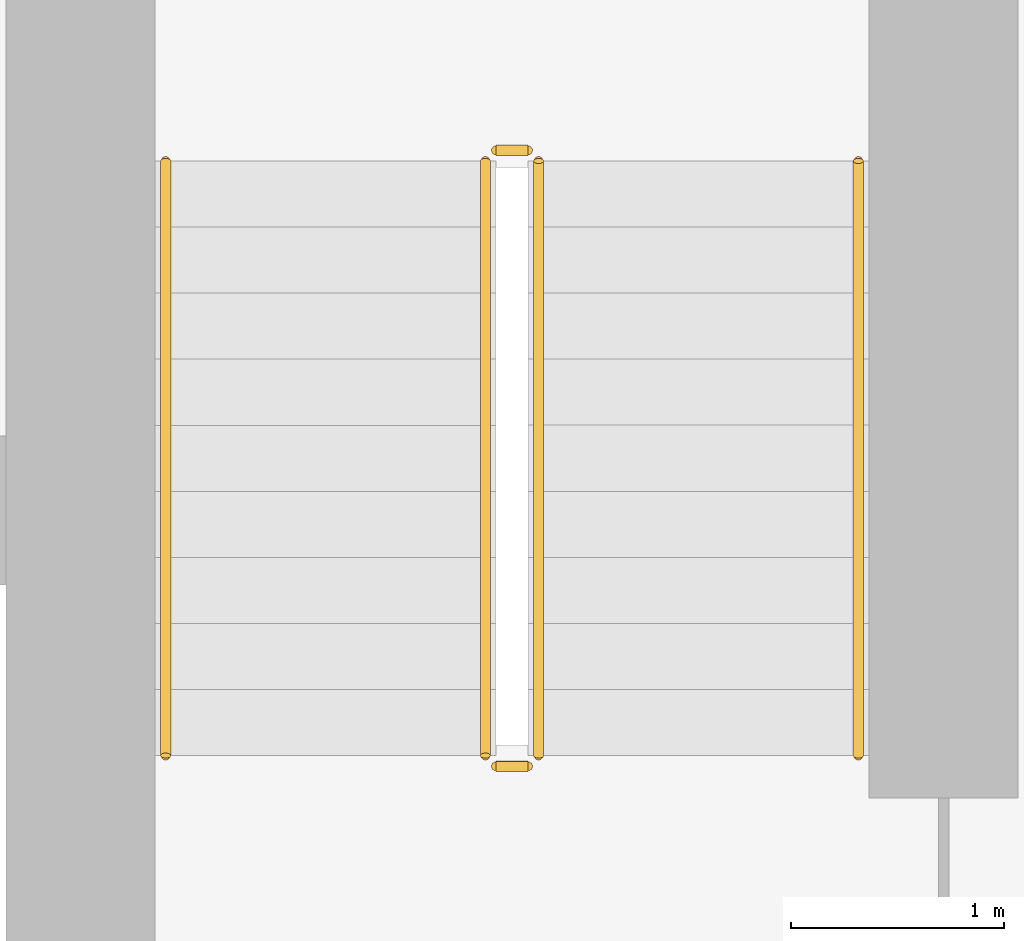
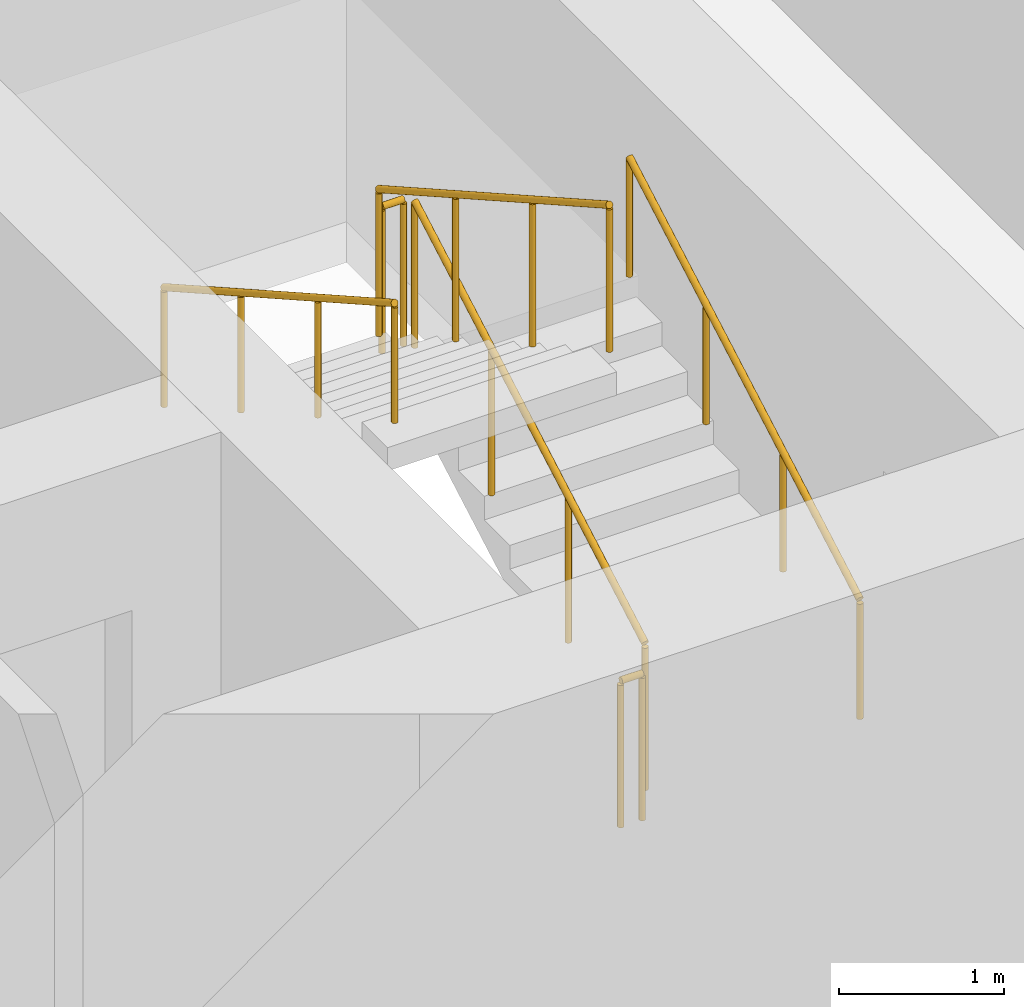
# One storey, part 19 of 21: 6 railings.
"""IFC4 building model written with IfcOpenShell, lengths in metres."""

from ifc_helpers import new_model, si_unit, direction, frame, origin, origin_2d, place, context, subcontext, project, spatial, circle, extrude, material, type_object, element, save


model = new_model("IFC4")

# Units and contexts
model_context = context("Model", 3, precision=1e-05, world=origin(), true_north=direction((0.0, 1.0)))
body_context = subcontext(model_context, "Body", "Model", "MODEL_VIEW")
ifc_project = project(units=[si_unit("LENGTHUNIT", "METRE"), si_unit("AREAUNIT", "SQUARE_METRE"), si_unit("VOLUMEUNIT", "CUBIC_METRE"), si_unit("PLANEANGLEUNIT", "RADIAN"), si_unit("MASSUNIT", "GRAM", prefix="KILO")], contexts=[model_context])

# Site, building, storey
site_placement = place(None, origin())
site = spatial("IfcSite", under=ifc_project, at=site_placement, CompositionType="ELEMENT")
building_placement = place(site_placement, origin())
building = spatial("IfcBuilding", under=site, at=building_placement, Name="Madar Terraces", CompositionType="ELEMENT")
storey_placement = place(building_placement, frame((0.0, 0.0, 39.89990234375)))
storey = spatial("IfcBuildingStorey", under=building, at=storey_placement, Name="L09", CompositionType="ELEMENT", Elevation=39.89990234375)

# Railings
ifc_material_1 = material(Name="Stainless steel railing", Category="steel")
railing_type_1 = type_object("IfcRailingType", Name="Stair guard 1100", PredefinedType="GUARDRAIL", material=ifc_material_1)
railing_1_placement = place(storey_placement, frame((41.449951171875, 17.60009765625, 0.175048828125)))
element("IfcRailing", 1, at=railing_1_placement, inside=storey, type_object=railing_type_1, Name="L09 ST3 stair guard 1", PredefinedType="GUARDRAIL", context=body_context, shape_type="SweptSolid", body=[
    extrude(circle(Radius=0.02392578125, at=origin_2d()), frame((0.0, 0.0, 1.076171875), z_axis=(0.0, 0.870815363784, 0.491610213684), x_axis=(-1.0, 0.0, 0.0)), (0.0, 0.0, 1.0), 3.20361328125),
    extrude(circle(Radius=0.02099609375, at=origin_2d()), origin(), (0.0, 0.0, 1.0), 1.052001953125),
    extrude(circle(Radius=0.02099609375, at=origin_2d()), frame((0.0, 0.929931640625, 0.52490234375)), (0.0, 0.0, 1.0), 1.052001953125),
    extrude(circle(Radius=0.02099609375, at=origin_2d()), frame((0.0, 1.85986328125, 1.050048828125)), (0.0, 0.0, 1.0), 1.052001953125),
    extrude(circle(Radius=0.02099609375, at=origin_2d()), frame((0.0, 2.789794921875, 1.574951171875)), (0.0, 0.0, 1.0), 1.052001953125),
])
railing_2_placement = place(storey_placement, frame((41.39990234375, 20.43994140625, 1.75)))
element("IfcRailing", 2, at=railing_2_placement, inside=storey, type_object=railing_type_1, Name="L09 ST3 stair guard 2", PredefinedType="GUARDRAIL", context=body_context, shape_type="SweptSolid", body=[
    extrude(circle(Radius=0.02392578125, at=origin_2d()), frame((0.0, 0.0, 1.076171875), z_axis=(-1.0, 0.0, 0.0), x_axis=(0.0, -1.0, 0.0)), (0.0, 0.0, 1.0), 0.14990234375),
    extrude(circle(Radius=0.02099609375, at=origin_2d()), origin(), (0.0, 0.0, 1.0), 1.052001953125),
    extrude(circle(Radius=0.02099609375, at=origin_2d()), frame((-0.14990234375, 0.0, 0.0)), (0.0, 0.0, 1.0), 1.052001953125),
])
railing_3_placement = place(storey_placement, frame((41.199951171875, 20.389892578125, 1.925048828125)))
element("IfcRailing", 3, at=railing_3_placement, inside=storey, type_object=railing_type_1, Name="L09 ST3 stair guard 3", PredefinedType="GUARDRAIL", context=body_context, shape_type="SweptSolid", body=[
    extrude(circle(Radius=0.02392578125, at=origin_2d()), frame((0.0, 0.0, 1.076171875), z_axis=(0.0, -0.870815363784, 0.491610213684), x_axis=(1.0, 0.0, 0.0)), (0.0, 0.0, 1.0), 3.20361328125),
    extrude(circle(Radius=0.02099609375, at=origin_2d()), origin(), (0.0, 0.0, 1.0), 1.052001953125),
    extrude(circle(Radius=0.02099609375, at=origin_2d()), frame((0.0, -0.929931640625, 0.52490234375)), (0.0, 0.0, 1.0), 1.052001953125),
    extrude(circle(Radius=0.02099609375, at=origin_2d()), frame((0.0, -1.85986328125, 1.050048828125)), (0.0, 0.0, 1.0), 1.052001953125),
    extrude(circle(Radius=0.02099609375, at=origin_2d()), frame((0.0, -2.789794921875, 1.574951171875)), (0.0, 0.0, 1.0), 1.052001953125),
])
railing_4_placement = place(storey_placement, frame((41.39990234375, 17.550048828125, 0.0)))
element("IfcRailing", 4, at=railing_4_placement, inside=storey, type_object=railing_type_1, Name="L09 ST3 stair guard 4", PredefinedType="GUARDRAIL", context=body_context, shape_type="SweptSolid", body=[
    extrude(circle(Radius=0.02392578125, at=origin_2d()), frame((0.0, 0.0, 1.076171875), z_axis=(-1.0, 0.0, 0.0), x_axis=(0.0, -1.0, 0.0)), (0.0, 0.0, 1.0), 0.14990234375),
    extrude(circle(Radius=0.02099609375, at=origin_2d()), origin(), (0.0, 0.0, 1.0), 1.052001953125),
    extrude(circle(Radius=0.02099609375, at=origin_2d()), frame((-0.14990234375, 0.0, 0.0)), (0.0, 0.0, 1.0), 1.052001953125),
])
ifc_material_2 = material(Name="Stainless steel railing", Category="steel")
railing_type_2 = type_object("IfcRailingType", Name="Stair handrail 900", PredefinedType="HANDRAIL", material=ifc_material_2)
railing_5_placement = place(storey_placement, frame((42.949951171875, 17.60009765625, 0.175048828125)))
element("IfcRailing", 5, at=railing_5_placement, inside=storey, type_object=railing_type_2, Name="L09 ST3 stair handrail 1", PredefinedType="HANDRAIL", context=body_context, shape_type="SweptSolid", body=[
    extrude(circle(Radius=0.02392578125, at=origin_2d()), frame((0.0, 0.0, 0.8759765625), z_axis=(0.0, 0.870815363784, 0.491610213684), x_axis=(-1.0, 0.0, 0.0)), (0.0, 0.0, 1.0), 3.20361328125),
    extrude(circle(Radius=0.02099609375, at=origin_2d()), origin(), (0.0, 0.0, 1.0), 0.851806640625),
    extrude(circle(Radius=0.02099609375, at=origin_2d()), frame((0.0, 0.929931640625, 0.52490234375)), (0.0, 0.0, 1.0), 0.851806640625),
    extrude(circle(Radius=0.02099609375, at=origin_2d()), frame((0.0, 1.85986328125, 1.050048828125)), (0.0, 0.0, 1.0), 0.851806640625),
    extrude(circle(Radius=0.02099609375, at=origin_2d()), frame((0.0, 2.789794921875, 1.574951171875)), (0.0, 0.0, 1.0), 0.851806640625),
])
railing_6_placement = place(storey_placement, frame((39.699951171875, 20.389892578125, 1.925048828125)))
element("IfcRailing", 6, at=railing_6_placement, inside=storey, type_object=railing_type_2, Name="L09 ST3 stair handrail 2", PredefinedType="HANDRAIL", context=body_context, shape_type="SweptSolid", body=[
    extrude(circle(Radius=0.02392578125, at=origin_2d()), frame((0.0, 0.0, 0.8759765625), z_axis=(0.0, -0.870815363784, 0.491610213684), x_axis=(1.0, 0.0, 0.0)), (0.0, 0.0, 1.0), 3.20361328125),
    extrude(circle(Radius=0.02099609375, at=origin_2d()), origin(), (0.0, 0.0, 1.0), 0.851806640625),
    extrude(circle(Radius=0.02099609375, at=origin_2d()), frame((0.0, -0.929931640625, 0.52490234375)), (0.0, 0.0, 1.0), 0.851806640625),
    extrude(circle(Radius=0.02099609375, at=origin_2d()), frame((0.0, -1.85986328125, 1.050048828125)), (0.0, 0.0, 1.0), 0.851806640625),
    extrude(circle(Radius=0.02099609375, at=origin_2d()), frame((0.0, -2.789794921875, 1.574951171875)), (0.0, 0.0, 1.0), 0.851806640625),
])

save(model, "model.ifc")
